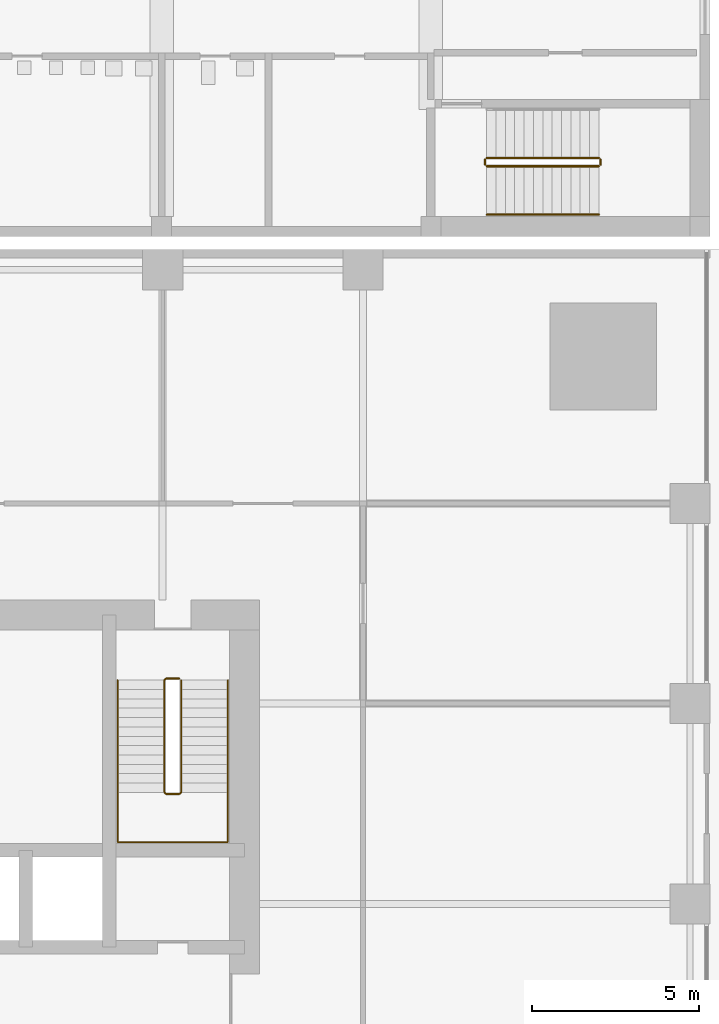
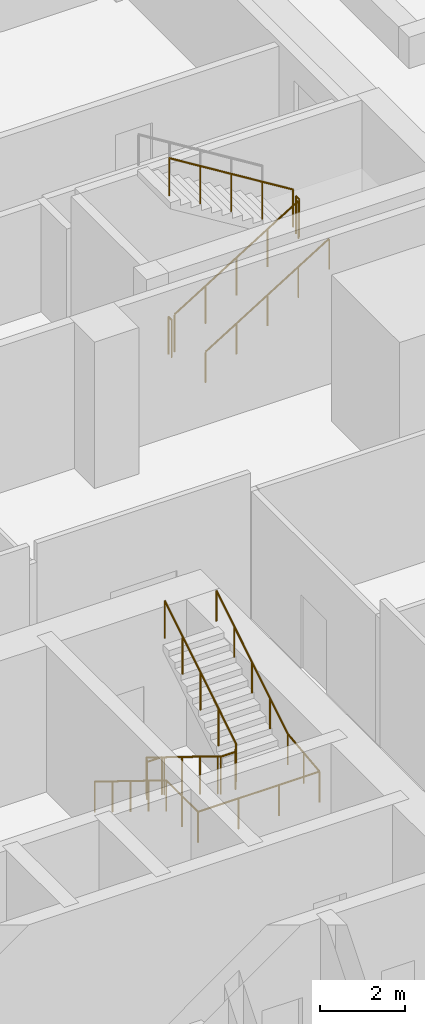
# One storey, part 32 of 34: 7 railings.
"""IFC4 building model written with IfcOpenShell, lengths in metres."""

import ifcopenshell
import ifcopenshell.guid

model = None  # the IFC model being written
_history = None  # IfcOwnerHistory: only IFC2X3 demands one
_inside = {}  # id of a spatial element -> (the spatial element, [elements in it])
_under = {}  # id of a project, library or spatial element -> (it, [spatial elements below it])
_declared = {}  # id of a project -> (the project, [libraries it declares])
_typed = {}  # id of a type object -> (the type object, [elements of that type])
_made_of = {}  # id of a material, layer set ... -> (it, [elements and type objects made of it])


def new_model(schema):
    """Start an empty IFC model of exactly this schema.

    Asked for "IFC4X3", IfcOpenShell would pick the latest addendum, in which some entities
    have other attributes; the version numbers below select the first issue.
    IFC2X3 requires an IfcOwnerHistory on every rooted entity: one is made here for all.
    """
    global model, _history
    if schema == "IFC4X3":
        model = ifcopenshell.file(schema_version=(4, 3, 0, 0))
    else:
        model = ifcopenshell.file(schema=schema)
    _inside.clear()
    _under.clear()
    _declared.clear()
    _typed.clear()
    _made_of.clear()
    _history = None
    if model.schema == "IFC2X3":
        org = make("IfcOrganization", Name="unknown")
        user = make(
            "IfcPersonAndOrganization",
            ThePerson=make("IfcPerson", FamilyName="unknown"),
            TheOrganization=org,
        )
        app = make(
            "IfcApplication",
            ApplicationDeveloper=org,
            Version="unknown",
            ApplicationFullName="unknown",
            ApplicationIdentifier="unknown",
        )
        _history = make(
            "IfcOwnerHistory",
            OwningUser=user,
            OwningApplication=app,
            ChangeAction="ADDED",
            CreationDate=0,
        )
    return model


def make(cls, **values):
    """One entity of the class cls with the attributes given. An attribute that is None is left unset."""
    return model.create_entity(
        cls, **{name: value for name, value in values.items() if value is not None}
    )


def rooted(cls, **values):
    """An entity with a GlobalId (a new one), such as an element, a storey or a relation."""
    return make(cls, GlobalId=ifcopenshell.guid.new(), OwnerHistory=_history, **values)


def si_unit(unit_type, name, prefix=None):
    """IfcSIUnit, for example si_unit("LENGTHUNIT", "METRE", prefix="MILLI")."""
    return make("IfcSIUnit", UnitType=unit_type, Prefix=prefix, Name=name)


def assignment(units):
    """IfcUnitAssignment: the units of a project."""
    return None if units is None else make("IfcUnitAssignment", Units=units)


def point(xyz):
    """IfcCartesianPoint."""
    return None if xyz is None else make("IfcCartesianPoint", Coordinates=xyz)


def direction(xyz):
    """IfcDirection."""
    return None if xyz is None else make("IfcDirection", DirectionRatios=xyz)


def frame(location, z_axis=None, x_axis=None):
    """IfcAxis2Placement3D, a coordinate frame: its origin and axes. An axis left out is left unset."""
    return make(
        "IfcAxis2Placement3D",
        Location=point(location),
        Axis=direction(z_axis),
        RefDirection=direction(x_axis),
    )


def frame_2d(location, x_axis=None):
    """IfcAxis2Placement2D, a coordinate frame in the plane: its origin and x axis."""
    return make(
        "IfcAxis2Placement2D", Location=point(location), RefDirection=direction(x_axis)
    )


def origin():
    """The frame at (0, 0, 0) with its axes left unset."""
    return frame((0.0, 0.0, 0.0))


def origin_2d():
    """The frame at (0, 0) in the plane with its x axis left unset."""
    return frame_2d((0.0, 0.0))


def place(relative_to, where):
    """IfcLocalPlacement: puts the frame where relative to a parent placement (None: the world)."""
    return make(
        "IfcLocalPlacement", PlacementRelTo=relative_to, RelativePlacement=where
    )


def context(
    kind, dimensions, precision=None, world=None, true_north=None, identifier=None
):
    """IfcGeometricRepresentationContext, for example the 3D "Model" context."""
    return make(
        "IfcGeometricRepresentationContext",
        ContextIdentifier=identifier,
        ContextType=kind,
        CoordinateSpaceDimension=dimensions,
        Precision=precision,
        WorldCoordinateSystem=world,
        TrueNorth=true_north,
    )


def subcontext(parent, identifier, kind, view, scale=None):
    """IfcGeometricRepresentationSubContext, for example "Body" below "Model"."""
    return make(
        "IfcGeometricRepresentationSubContext",
        ContextIdentifier=identifier,
        ContextType=kind,
        ParentContext=parent,
        TargetScale=scale,
        TargetView=view,
    )


def project(units=None, contexts=None):
    """IfcProject with its units and contexts."""
    return rooted(
        "IfcProject",
        Name="project",
        RepresentationContexts=contexts,
        UnitsInContext=assignment(units),
    )


def spatial(cls, under=None, at=None, **own):
    """A site, building, storey or space (cls), placed at a placement, below another one or the project."""
    s = rooted(cls, ObjectPlacement=at, **own)
    if under is not None:
        _under.setdefault(under.id(), (under, []))[1].append(s)
    return s


def profile(cls, at=None, kind="AREA", **sizes):
    """A parametric profile (cls). Its sizes go by their IFC names, for example OverallWidth=200.0."""
    return make(cls, ProfileType=kind, Position=at, **sizes)


def circle(**sizes):
    """IfcCircleProfileDef."""
    return profile("IfcCircleProfileDef", **sizes)


def extrude(swept, where, along, depth):
    """IfcExtrudedAreaSolid: the profile swept, set in the frame where, extruded along a direction by depth."""
    return make(
        "IfcExtrudedAreaSolid",
        SweptArea=swept,
        Position=where,
        ExtrudedDirection=direction(along),
        Depth=depth,
    )


def shape(context_of_items, identifier, shape_type, items):
    """IfcShapeRepresentation: the items that make up one representation, for example the "Body"."""
    return make(
        "IfcShapeRepresentation",
        ContextOfItems=context_of_items,
        RepresentationIdentifier=identifier,
        RepresentationType=shape_type,
        Items=items,
    )


def material(Name=None, Category=None):
    """IfcMaterial."""
    return make("IfcMaterial", Name=Name, Category=Category)


def made_of(thing, what):
    """Note that an element or type object is made of a material, layer set ...; save() writes the relation."""
    if what is not None:
        _made_of.setdefault(what.id(), (what, []))[1].append(thing)
    return thing


def type_object(cls, material=None, **own):
    """A type object (cls), such as IfcWallType, which elements share."""
    return made_of(rooted(cls, **own), material)


def element(
    cls,
    number,
    at=None,
    inside=None,
    cuts=None,
    type_object=None,
    material=None,
    context=None,
    identifier="Body",
    shape_type=None,
    held_by="IfcProductDefinitionShape",
    body=None,
    shapes=None,
    **own,
):
    """One element of the class cls, such as IfcWall. Its Tag is "e" and its number.

    at: its placement. inside: the storey or other place that contains it. cuts: it is an
    opening in that element (IfcRelVoidsElement). A single representation is given by context,
    identifier, shape_type and body (its items); several are given by shapes. held_by: the class
    of the entity that holds the representations. save() writes the other relations.
    """
    e = rooted(cls, Tag="e%d" % number, ObjectPlacement=at, **own)
    if body is not None:
        shapes = [shape(context, identifier, shape_type, body)]
    if shapes is not None:
        e.Representation = make(held_by, Representations=shapes)
    if inside is not None:
        _inside.setdefault(inside.id(), (inside, []))[1].append(e)
    if cuts is not None:
        rooted(
            "IfcRelVoidsElement", RelatingBuildingElement=cuts, RelatedOpeningElement=e
        )
    if type_object is not None:
        _typed.setdefault(type_object.id(), (type_object, []))[1].append(e)
    return made_of(e, material)


def aggregate(whole, parts):
    """IfcRelAggregates: a whole, such as a stair, and the parts it consists of."""
    return rooted("IfcRelAggregates", RelatingObject=whole, RelatedObjects=parts)


def save(model, path):
    """Write the relations noted so far, then the file.

    IfcRelAggregates (storeys below a building ...), IfcRelContainedInSpatialStructure (elements
    in a storey), IfcRelDefinesByType, IfcRelAssociatesMaterial and IfcRelDeclares: one each for
    every whole, place, type object, material and project.
    """
    for whole, parts in _under.values():
        aggregate(whole, parts)
    for where, things in _inside.values():
        rooted(
            "IfcRelContainedInSpatialStructure",
            RelatedElements=things,
            RelatingStructure=where,
        )
    for kind, things in _typed.values():
        rooted("IfcRelDefinesByType", RelatedObjects=things, RelatingType=kind)
    for what, things in _made_of.values():
        rooted("IfcRelAssociatesMaterial", RelatedObjects=things, RelatingMaterial=what)
    for by, libraries in _declared.values():
        rooted("IfcRelDeclares", RelatingContext=by, RelatedDefinitions=libraries)
    model.write(path)


model = new_model("IFC4")

# Units and contexts
model_context = context("Model", 3, precision=1e-05, world=origin(), true_north=direction((0.0, 1.0)))
body_context = subcontext(model_context, "Body", "Model", "MODEL_VIEW")
ifc_project = project(units=[si_unit("LENGTHUNIT", "METRE"), si_unit("AREAUNIT", "SQUARE_METRE"), si_unit("VOLUMEUNIT", "CUBIC_METRE"), si_unit("PLANEANGLEUNIT", "RADIAN"), si_unit("MASSUNIT", "GRAM", prefix="KILO")], contexts=[model_context])

# Site, building, storey
site_placement = place(None, origin())
site = spatial("IfcSite", under=ifc_project, at=site_placement, CompositionType="ELEMENT")
building_placement = place(site_placement, origin())
building = spatial("IfcBuilding", under=site, at=building_placement, Name="Amberfall Residences", CompositionType="ELEMENT")
storey_placement = place(building_placement, frame((0.0, 0.0, 5.5)))
storey = spatial("IfcBuildingStorey", under=building, at=storey_placement, Name="L01", CompositionType="ELEMENT", Elevation=5.5)

# Railings
ifc_material_1 = material(Name="Stainless steel", Category="steel")
railing_type_1 = type_object("IfcRailingType", Name="School stair guard 1100", PredefinedType="GUARDRAIL", material=ifc_material_1)
railing_1_placement = place(storey_placement, frame((93.30810546875, 70.5, 0.173095703125)))
element("IfcRailing", 1, at=railing_1_placement, inside=storey, type_object=railing_type_1, Name="L01 SS5 stair guard 1", PredefinedType="GUARDRAIL", context=body_context, shape_type="SweptSolid", body=[
    extrude(circle(Radius=0.02392578125, at=origin_2d()), frame((0.0, 0.0, 1.076171875), z_axis=(0.850606129759, 0.0, 0.525803396734), x_axis=(0.0, 1.0, 0.0)), (0.0, 0.0, 1.0), 3.949951171875),
    extrude(circle(Radius=0.02099609375, at=origin_2d()), origin(), (0.0, 0.0, 1.0), 1.052001953125),
    extrude(circle(Radius=0.02099609375, at=origin_2d()), frame((0.83984375, 0.0, 0.519287109375)), (0.0, 0.0, 1.0), 1.052001953125),
    extrude(circle(Radius=0.02099609375, at=origin_2d()), frame((1.679931640625, 0.0, 1.03857421875)), (0.0, 0.0, 1.0), 1.052001953125),
    extrude(circle(Radius=0.02099609375, at=origin_2d()), frame((2.52001953125, 0.0, 1.5576171875)), (0.0, 0.0, 1.0), 1.052001953125),
    extrude(circle(Radius=0.02099609375, at=origin_2d()), frame((3.35986328125, 0.0, 2.076904296875)), (0.0, 0.0, 1.0), 1.052001953125),
])
railing_2_placement = place(storey_placement, frame((96.718017578125, 70.550048828125, 2.25)))
element("IfcRailing", 2, at=railing_2_placement, inside=storey, type_object=railing_type_1, Name="L01 SS5 stair guard 2", PredefinedType="GUARDRAIL", context=body_context, shape_type="SweptSolid", body=[
    extrude(circle(Radius=0.02392578125, at=origin_2d()), frame((0.0, 0.0, 1.076171875), z_axis=(0.0, 1.0, 0.0), x_axis=(-1.0, 0.0, 0.0)), (0.0, 0.0, 1.0), 0.14990234375),
    extrude(circle(Radius=0.02099609375, at=origin_2d()), origin(), (0.0, 0.0, 1.0), 1.052001953125),
    extrude(circle(Radius=0.02099609375, at=origin_2d()), frame((0.0, 0.14990234375, 0.0)), (0.0, 0.0, 1.0), 1.052001953125),
])
railing_3_placement = place(storey_placement, frame((96.66796875, 70.75, 2.423095703125)))
element("IfcRailing", 3, at=railing_3_placement, inside=storey, type_object=railing_type_1, Name="L01 SS5 stair guard 3", PredefinedType="GUARDRAIL", context=body_context, shape_type="SweptSolid", body=[
    extrude(circle(Radius=0.02392578125, at=origin_2d()), frame((0.0, 0.0, 1.076171875), z_axis=(-0.850606129759, 0.0, 0.525803396734), x_axis=(0.0, -1.0, 0.0)), (0.0, 0.0, 1.0), 3.949951171875),
    extrude(circle(Radius=0.02099609375, at=origin_2d()), origin(), (0.0, 0.0, 1.0), 1.052001953125),
    extrude(circle(Radius=0.02099609375, at=origin_2d()), frame((-0.83984375, 0.0, 0.519287109375)), (0.0, 0.0, 1.0), 1.052001953125),
    extrude(circle(Radius=0.02099609375, at=origin_2d()), frame((-1.679931640625, 0.0, 1.03857421875)), (0.0, 0.0, 1.0), 1.052001953125),
    extrude(circle(Radius=0.02099609375, at=origin_2d()), frame((-2.52001953125, 0.0, 1.5576171875)), (0.0, 0.0, 1.0), 1.052001953125),
    extrude(circle(Radius=0.02099609375, at=origin_2d()), frame((-3.35986328125, 0.0, 2.076904296875)), (0.0, 0.0, 1.0), 1.052001953125),
])
railing_4_placement = place(storey_placement, frame((93.258056640625, 70.550048828125, 0.0)))
element("IfcRailing", 4, at=railing_4_placement, inside=storey, type_object=railing_type_1, Name="L01 SS5 stair guard 4", PredefinedType="GUARDRAIL", context=body_context, shape_type="SweptSolid", body=[
    extrude(circle(Radius=0.02392578125, at=origin_2d()), frame((0.0, 0.0, 1.076171875), z_axis=(0.0, 1.0, 0.0), x_axis=(-1.0, 0.0, 0.0)), (0.0, 0.0, 1.0), 0.14990234375),
    extrude(circle(Radius=0.02099609375, at=origin_2d()), origin(), (0.0, 0.0, 1.0), 1.052001953125),
    extrude(circle(Radius=0.02099609375, at=origin_2d()), frame((0.0, 0.14990234375, 0.0)), (0.0, 0.0, 1.0), 1.052001953125),
])
railing_type_2 = type_object("IfcRailingType", Name="School stair handrail", PredefinedType="HANDRAIL", material=ifc_material_1)
railing_5_placement = place(storey_placement, frame((93.30810546875, 69.050048828125, 0.173095703125)))
element("IfcRailing", 5, at=railing_5_placement, inside=storey, type_object=railing_type_2, Name="L01 SS5 stair handrail 1", PredefinedType="HANDRAIL", context=body_context, shape_type="SweptSolid", body=[
    extrude(circle(Radius=0.02392578125, at=origin_2d()), frame((0.0, 0.0, 0.8759765625), z_axis=(0.850606129759, 0.0, 0.525803396734), x_axis=(0.0, 1.0, 0.0)), (0.0, 0.0, 1.0), 3.949951171875),
    extrude(circle(Radius=0.02099609375, at=origin_2d()), origin(), (0.0, 0.0, 1.0), 0.851806640625),
    extrude(circle(Radius=0.02099609375, at=origin_2d()), frame((0.83984375, 0.0, 0.519287109375)), (0.0, 0.0, 1.0), 0.851806640625),
    extrude(circle(Radius=0.02099609375, at=origin_2d()), frame((1.679931640625, 0.0, 1.03857421875)), (0.0, 0.0, 1.0), 0.851806640625),
    extrude(circle(Radius=0.02099609375, at=origin_2d()), frame((2.52001953125, 0.0, 1.5576171875)), (0.0, 0.0, 1.0), 0.851806640625),
    extrude(circle(Radius=0.02099609375, at=origin_2d()), frame((3.35986328125, 0.0, 2.076904296875)), (0.0, 0.0, 1.0), 0.851806640625),
])
ifc_material_2 = material(Name="Stainless steel 316", Category="steel")
railing_type_3 = type_object("IfcRailingType", Name="Stair guard 1100", PredefinedType="GUARDRAIL", material=ifc_material_2)
railing_6_placement = place(storey_placement, frame((84.10009765625, 55.14990234375, 0.0)))
element("IfcRailing", 6, at=railing_6_placement, inside=storey, type_object=railing_type_3, Name="L01 stair 3 guard", PredefinedType="GUARDRAIL", context=body_context, shape_type="SweptSolid", body=[
    extrude(circle(Radius=0.02392578125, at=origin_2d()), frame((0.0, 0.0, 1.076171875), z_axis=(-1.0, 0.0, 0.0), x_axis=(0.0, -1.0, 0.0)), (0.0, 0.0, 1.0), 0.400146484375),
    extrude(circle(Radius=0.02392578125, at=origin_2d()), frame((-0.400146484375, 0.0, 1.076171875), z_axis=(-0.267723051232, -0.266417085129, 0.925929967433), x_axis=(0.705375805398, -0.708833529934, 0.0)), (0.0, 0.0, 1.0), 0.18701171875),
    extrude(circle(Radius=0.02392578125, at=origin_2d()), frame((-0.4501953125, -0.0498046875, 1.2490234375), z_axis=(0.0, -0.850623216509, 0.525775754039), x_axis=(1.0, 0.0, 0.0)), (0.0, 0.0, 1.0), 3.9501953125),
    extrude(circle(Radius=0.02392578125, at=origin_2d()), frame((-0.4501953125, -3.409912109375, 3.326171875), z_axis=(0.707106781187, -0.707106781187, 0.0), x_axis=(0.707106781187, 0.707106781187, 0.0)), (0.0, 0.0, 1.0), 0.07080078125),
    extrude(circle(Radius=0.02392578125, at=origin_2d()), frame((-0.400146484375, -3.4599609375, 3.326171875), z_axis=(1.0, 0.0, 0.0), x_axis=(0.0, 1.0, 0.0)), (0.0, 0.0, 1.0), 0.400146484375),
    extrude(circle(Radius=0.02392578125, at=origin_2d()), frame((0.0, -3.4599609375, 3.326171875), z_axis=(0.266417085129, 0.267723051232, 0.925929967433), x_axis=(-0.708833529934, 0.705375805398, 0.0)), (0.0, 0.0, 1.0), 0.18701171875),
    extrude(circle(Radius=0.02392578125, at=origin_2d()), frame((0.0498046875, -3.409912109375, 3.4990234375), z_axis=(0.0, 0.850623216509, 0.525775754039), x_axis=(-1.0, 0.0, 0.0)), (0.0, 0.0, 1.0), 3.9501953125),
    extrude(circle(Radius=0.02099609375, at=origin_2d()), origin(), (0.0, 0.0, 1.0), 1.052001953125),
    extrude(circle(Radius=0.02099609375, at=origin_2d()), frame((-0.400146484375, 0.0, 0.0)), (0.0, 0.0, 1.0), 1.052001953125),
    extrude(circle(Radius=0.02099609375, at=origin_2d()), frame((-0.4501953125, -0.0498046875, 0.173095703125)), (0.0, 0.0, 1.0), 1.052001953125),
    extrude(circle(Radius=0.02099609375, at=origin_2d()), frame((-0.4501953125, -0.889892578125, 0.6923828125)), (0.0, 0.0, 1.0), 1.052001953125),
    extrude(circle(Radius=0.02099609375, at=origin_2d()), frame((-0.4501953125, -1.72998046875, 1.21142578125)), (0.0, 0.0, 1.0), 1.052001953125),
    extrude(circle(Radius=0.02099609375, at=origin_2d()), frame((-0.4501953125, -2.56982421875, 1.730712890625)), (0.0, 0.0, 1.0), 1.052001953125),
    extrude(circle(Radius=0.02099609375, at=origin_2d()), frame((-0.4501953125, -3.409912109375, 2.25)), (0.0, 0.0, 1.0), 1.052001953125),
    extrude(circle(Radius=0.02099609375, at=origin_2d()), frame((-0.400146484375, -3.4599609375, 2.25)), (0.0, 0.0, 1.0), 1.052001953125),
    extrude(circle(Radius=0.02099609375, at=origin_2d()), frame((0.0, -3.4599609375, 2.25)), (0.0, 0.0, 1.0), 1.052001953125),
    extrude(circle(Radius=0.02099609375, at=origin_2d()), frame((0.0498046875, -3.409912109375, 2.423095703125)), (0.0, 0.0, 1.0), 1.052001953125),
    extrude(circle(Radius=0.02099609375, at=origin_2d()), frame((0.0498046875, -2.56982421875, 2.9423828125)), (0.0, 0.0, 1.0), 1.052001953125),
    extrude(circle(Radius=0.02099609375, at=origin_2d()), frame((0.0498046875, -1.72998046875, 3.46142578125)), (0.0, 0.0, 1.0), 1.052001953125),
    extrude(circle(Radius=0.02099609375, at=origin_2d()), frame((0.0498046875, -0.889892578125, 3.980712890625)), (0.0, 0.0, 1.0), 1.052001953125),
    extrude(circle(Radius=0.02099609375, at=origin_2d()), frame((0.0498046875, -0.0498046875, 4.5)), (0.0, 0.0, 1.0), 1.052001953125),
])
railing_type_4 = type_object("IfcRailingType", Name="Stair handrail 900", PredefinedType="HANDRAIL", material=ifc_material_2)
railing_7_placement = place(storey_placement, frame((82.25, 55.10009765625, 0.173095703125)))
element("IfcRailing", 7, at=railing_7_placement, inside=storey, type_object=railing_type_4, Name="L01 stair 3 handrail", PredefinedType="HANDRAIL", context=body_context, shape_type="SweptSolid", body=[
    extrude(circle(Radius=0.02392578125, at=origin_2d()), frame((0.0, 0.0, 0.8759765625), z_axis=(0.0, -0.850623216509, 0.525775754039), x_axis=(1.0, 0.0, 0.0)), (0.0, 0.0, 1.0), 3.9501953125),
    extrude(circle(Radius=0.02392578125, at=origin_2d()), frame((0.0, -3.360107421875, 2.95263671875), z_axis=(0.0, -1.0, 0.0), x_axis=(1.0, 0.0, 0.0)), (0.0, 0.0, 1.0), 1.489990234375),
    extrude(circle(Radius=0.02392578125, at=origin_2d()), frame((0.0, -4.85009765625, 2.95263671875), z_axis=(1.0, 0.0, 0.0), x_axis=(0.0, 1.0, 0.0)), (0.0, 0.0, 1.0), 3.300048828125),
    extrude(circle(Radius=0.02392578125, at=origin_2d()), frame((3.300048828125, -4.85009765625, 2.95263671875), z_axis=(0.0, 0.993319533971, 0.115396288642), x_axis=(-1.0, 0.0, 0.0)), (0.0, 0.0, 1.0), 1.5),
    extrude(circle(Radius=0.02392578125, at=origin_2d()), frame((3.300048828125, -3.360107421875, 3.1259765625), z_axis=(0.0, 0.850623216509, 0.525775754039), x_axis=(-1.0, 0.0, 0.0)), (0.0, 0.0, 1.0), 3.9501953125),
    extrude(circle(Radius=0.02099609375, at=origin_2d()), origin(), (0.0, 0.0, 1.0), 0.851806640625),
    extrude(circle(Radius=0.02099609375, at=origin_2d()), frame((0.0, -0.840087890625, 0.519287109375)), (0.0, 0.0, 1.0), 0.851806640625),
    extrude(circle(Radius=0.02099609375, at=origin_2d()), frame((0.0, -1.68017578125, 1.03857421875)), (0.0, 0.0, 1.0), 0.851806640625),
    extrude(circle(Radius=0.02099609375, at=origin_2d()), frame((0.0, -2.52001953125, 1.5576171875)), (0.0, 0.0, 1.0), 0.851806640625),
    extrude(circle(Radius=0.02099609375, at=origin_2d()), frame((0.0, -3.360107421875, 2.076904296875)), (0.0, 0.0, 1.0), 0.851806640625),
    extrude(circle(Radius=0.02099609375, at=origin_2d()), frame((0.0, -4.10498046875, 2.076904296875)), (0.0, 0.0, 1.0), 0.851806640625),
    extrude(circle(Radius=0.02099609375, at=origin_2d()), frame((0.0, -4.85009765625, 2.076904296875)), (0.0, 0.0, 1.0), 0.851806640625),
    extrude(circle(Radius=0.02099609375, at=origin_2d()), frame((1.10009765625, -4.85009765625, 2.076904296875)), (0.0, 0.0, 1.0), 0.851806640625),
    extrude(circle(Radius=0.02099609375, at=origin_2d()), frame((2.199951171875, -4.85009765625, 2.076904296875)), (0.0, 0.0, 1.0), 0.851806640625),
    extrude(circle(Radius=0.02099609375, at=origin_2d()), frame((3.300048828125, -4.85009765625, 2.076904296875)), (0.0, 0.0, 1.0), 0.851806640625),
    extrude(circle(Radius=0.02099609375, at=origin_2d()), frame((3.300048828125, -4.10498046875, 2.16357421875)), (0.0, 0.0, 1.0), 0.851806640625),
    extrude(circle(Radius=0.02099609375, at=origin_2d()), frame((3.300048828125, -3.360107421875, 2.25)), (0.0, 0.0, 1.0), 0.851806640625),
    extrude(circle(Radius=0.02099609375, at=origin_2d()), frame((3.300048828125, -2.52001953125, 2.769287109375)), (0.0, 0.0, 1.0), 0.851806640625),
    extrude(circle(Radius=0.02099609375, at=origin_2d()), frame((3.300048828125, -1.68017578125, 3.28857421875)), (0.0, 0.0, 1.0), 0.851806640625),
    extrude(circle(Radius=0.02099609375, at=origin_2d()), frame((3.300048828125, -0.840087890625, 3.8076171875)), (0.0, 0.0, 1.0), 0.851806640625),
    extrude(circle(Radius=0.02099609375, at=origin_2d()), frame((3.300048828125, 0.0, 4.326904296875)), (0.0, 0.0, 1.0), 0.851806640625),
])

save(model, "model.ifc")
